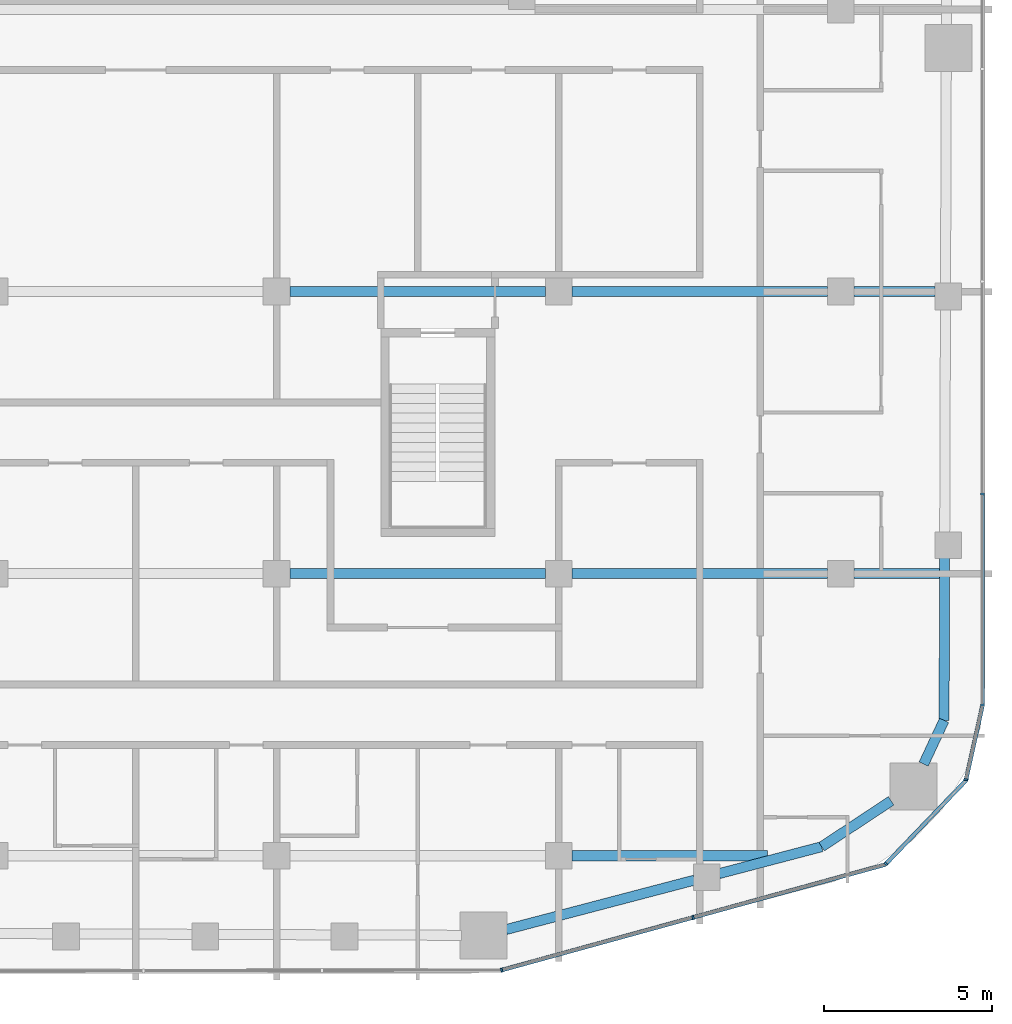
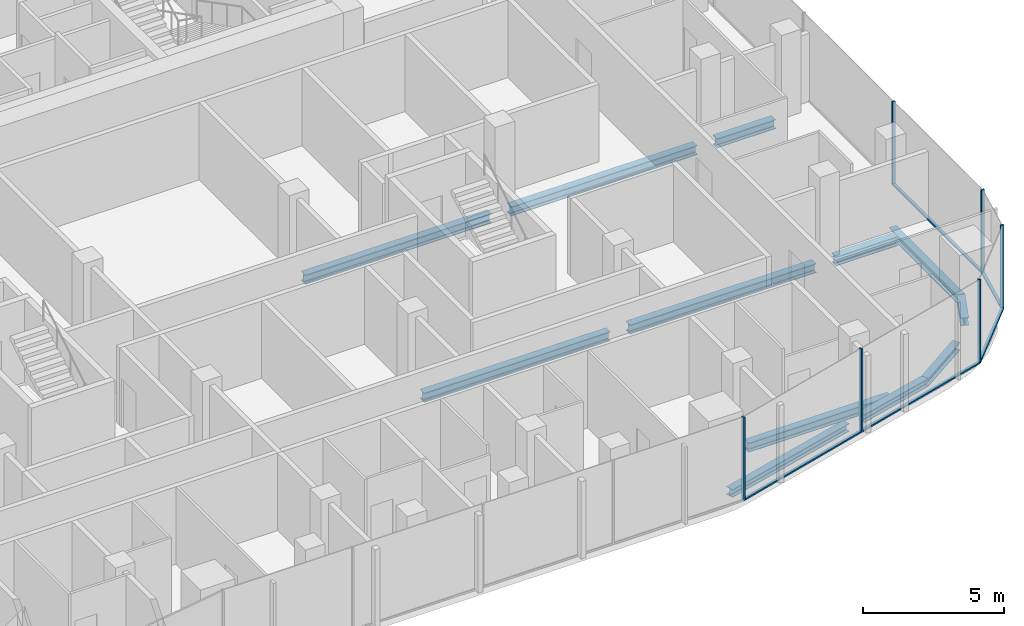
# One storey, part 6 of 22: 12 beams, 11 members, 4 elements without a shape of their own.
"""IFC4 building model written with IfcOpenShell, lengths in metres."""

from ifc_helpers import new_model, si_unit, direction, frame, origin, origin_2d, place, context, subcontext, project, spatial, rectangle, i_section, extrude, material, layer, layer_set, material_profile, profile_set, type_object, element, aggregate, save


model = new_model("IFC4")

# Units and contexts
model_context = context("Model", 3, precision=1e-05, world=origin(), true_north=direction((0.0, 1.0)))
body_context = subcontext(model_context, "Body", "Model", "MODEL_VIEW")
ifc_project = project(units=[si_unit("LENGTHUNIT", "METRE"), si_unit("AREAUNIT", "SQUARE_METRE"), si_unit("VOLUMEUNIT", "CUBIC_METRE"), si_unit("PLANEANGLEUNIT", "RADIAN"), si_unit("MASSUNIT", "GRAM", prefix="KILO")], contexts=[model_context])

# Site, building, storey
site_placement = place(None, origin())
site = spatial("IfcSite", under=ifc_project, at=site_placement, CompositionType="ELEMENT")
building_placement = place(site_placement, origin())
building = spatial("IfcBuilding", under=site, at=building_placement, Name="Marenta Gate Hotel Tower", CompositionType="ELEMENT")
storey_placement = place(building_placement, frame((0.0, 0.0, 238.10009765625)))
storey = spatial("IfcBuildingStorey", under=building, at=storey_placement, Name="L56", CompositionType="ELEMENT", Elevation=238.10009765625)

# Beams
ifc_material_1 = material(Name="Steel S355", Category="steel")
ifc_material_profile_1 = material_profile(ifc_material_1, i_section(OverallWidth=0.300048828125, OverallDepth=0.340087890625, WebThickness=0.011962890625, FlangeThickness=0.021484375, FilletRadius=0.027099609375, at=origin_2d()), Name="HEB 340")
ifc_profile_set_1 = profile_set([ifc_material_profile_1], Name="Steel S355")
beam_type_1 = type_object("IfcBeamType", Name="Edge beam HEB 340", PredefinedType="SPANDREL", material=ifc_profile_set_1)
beam_1_placement = place(storey_placement, frame((24.09130859375, -16.31201171875, -0.43017578125), z_axis=(-0.003318732666, -0.999994492992, 0.0), x_axis=(0.999994492992, -0.003318732666, 0.0)))
element("IfcBeam", 1, at=beam_1_placement, inside=storey, type_object=beam_type_1, Name="L56-EB-27", PredefinedType="SPANDREL", context=body_context, shape_type="SweptSolid", body=[
    extrude(i_section(OverallWidth=0.300048828125, OverallDepth=0.340087890625, WebThickness=0.011962890625, FlangeThickness=0.021484375, FilletRadius=0.027099609375, at=origin_2d()), origin(), (0.0, 0.0, 1.0), 4.855224609375),
])
beam_2_placement = place(storey_placement, frame((24.0751953125, -21.167236328125, -0.43017578125), z_axis=(-0.423341112024, -0.905970365338, 0.0), x_axis=(0.905970365338, -0.423341112024, 0.0)))
element("IfcBeam", 2, at=beam_2_placement, inside=storey, type_object=beam_type_1, Name="L56-EB-28", PredefinedType="SPANDREL", context=body_context, shape_type="SweptSolid", body=[
    extrude(i_section(OverallWidth=0.300048828125, OverallDepth=0.340087890625, WebThickness=0.011962890625, FlangeThickness=0.021484375, FilletRadius=0.027099609375, at=origin_2d()), origin(), (0.0, 0.0, 1.0), 1.437255859375),
])
beam_3_placement = place(storey_placement, frame((22.496337890625, -23.56640625, -0.43017578125), z_axis=(-0.834528740585, -0.550964410047, 0.0), x_axis=(0.550964410047, -0.834528740585, 0.0)))
element("IfcBeam", 3, at=beam_3_placement, inside=storey, type_object=beam_type_1, Name="L56-EB-29", PredefinedType="SPANDREL", context=body_context, shape_type="SweptSolid", body=[
    extrude(i_section(OverallWidth=0.300048828125, OverallDepth=0.340087890625, WebThickness=0.011962890625, FlangeThickness=0.021484375, FilletRadius=0.027099609375, at=origin_2d()), origin(), (0.0, 0.0, 1.0), 2.47705078125),
])
beam_4_placement = place(storey_placement, frame((20.42919921875, -24.93115234375, -0.43017578125), z_axis=(-0.967235227858, -0.253881889845, 0.0), x_axis=(0.253881889845, -0.967235227858, 0.0)))
element("IfcBeam", 4, at=beam_4_placement, inside=storey, type_object=beam_type_1, Name="L56-EB-30", PredefinedType="SPANDREL", context=body_context, shape_type="SweptSolid", body=[
    extrude(i_section(OverallWidth=0.300048828125, OverallDepth=0.340087890625, WebThickness=0.011962890625, FlangeThickness=0.021484375, FilletRadius=0.027099609375, at=origin_2d()), origin(), (0.0, 0.0, 1.0), 3.164794921875),
])
beam_5_placement = place(storey_placement, frame((16.6455078125, -25.92431640625, -0.43017578125), z_axis=(-0.96723496524, -0.253882890359, 0.0), x_axis=(0.253882890359, -0.96723496524, 0.0)))
element("IfcBeam", 5, at=beam_5_placement, inside=storey, type_object=beam_type_1, Name="L56-EB-31", PredefinedType="SPANDREL", context=body_context, shape_type="SweptSolid", body=[
    extrude(i_section(OverallWidth=0.300048828125, OverallDepth=0.340087890625, WebThickness=0.011962890625, FlangeThickness=0.021484375, FilletRadius=0.027099609375, at=origin_2d()), origin(), (0.0, 0.0, 1.0), 5.80810546875),
])
ifc_material_2 = material(Name="Steel S355", Category="steel")
ifc_material_profile_2 = material_profile(ifc_material_2, i_section(OverallWidth=0.300048828125, OverallDepth=0.39990234375, WebThickness=0.013427734375, FlangeThickness=0.02392578125, FilletRadius=0.027099609375, at=origin_2d()), Name="HEB 400")
ifc_profile_set_2 = profile_set([ifc_material_profile_2], Name="Steel S355")
beam_type_2 = type_object("IfcBeamType", Name="Girder HEB 400", PredefinedType="BEAM", material=ifc_profile_set_2)
beam_6_placement = place(storey_placement, frame((13.0, -25.199951171875, -0.460205078125), z_axis=(1.0, 0.0, 0.0), x_axis=(0.0, 1.0, 0.0)))
element("IfcBeam", 6, at=beam_6_placement, inside=storey, type_object=beam_type_2, Name="L56-GD-5", PredefinedType="BEAM", context=body_context, shape_type="SweptSolid", body=[
    extrude(i_section(OverallWidth=0.300048828125, OverallDepth=0.39990234375, WebThickness=0.013427734375, FlangeThickness=0.02392578125, FilletRadius=0.027099609375, at=origin_2d()), origin(), (0.0, 0.0, 1.0), 5.81396484375),
])
beam_7_placement = place(storey_placement, frame((4.60009765625, -16.800048828125, -0.460205078125), z_axis=(1.0, 0.0, 0.0), x_axis=(0.0, 1.0, 0.0)))
element("IfcBeam", 7, at=beam_7_placement, inside=storey, type_object=beam_type_2, Name="L56-GD-10", PredefinedType="BEAM", context=body_context, shape_type="SweptSolid", body=[
    extrude(i_section(OverallWidth=0.300048828125, OverallDepth=0.39990234375, WebThickness=0.013427734375, FlangeThickness=0.02392578125, FilletRadius=0.027099609375, at=origin_2d()), origin(), (0.0, 0.0, 1.0), 7.599853515625),
])
beam_8_placement = place(storey_placement, frame((13.0, -16.800048828125, -0.460205078125), z_axis=(1.0, 0.0, 0.0), x_axis=(0.0, 1.0, 0.0)))
element("IfcBeam", 8, at=beam_8_placement, inside=storey, type_object=beam_type_2, Name="L56-GD-11", PredefinedType="BEAM", context=body_context, shape_type="SweptSolid", body=[
    extrude(i_section(OverallWidth=0.300048828125, OverallDepth=0.39990234375, WebThickness=0.013427734375, FlangeThickness=0.02392578125, FilletRadius=0.027099609375, at=origin_2d()), origin(), (0.0, 0.0, 1.0), 7.60009765625),
])
beam_9_placement = place(storey_placement, frame((21.39990234375, -16.800048828125, -0.460205078125), z_axis=(1.0, 0.0, 0.0), x_axis=(0.0, 1.0, 0.0)))
element("IfcBeam", 9, at=beam_9_placement, inside=storey, type_object=beam_type_2, Name="L56-GD-12", PredefinedType="BEAM", context=body_context, shape_type="SweptSolid", body=[
    extrude(i_section(OverallWidth=0.300048828125, OverallDepth=0.39990234375, WebThickness=0.013427734375, FlangeThickness=0.02392578125, FilletRadius=0.027099609375, at=origin_2d()), origin(), (0.0, 0.0, 1.0), 2.539794921875),
])
beam_10_placement = place(storey_placement, frame((4.60009765625, -8.39990234375, -0.460205078125), z_axis=(1.0, 0.0, 0.0), x_axis=(0.0, 1.0, 0.0)))
element("IfcBeam", 10, at=beam_10_placement, inside=storey, type_object=beam_type_2, Name="L56-GD-17", PredefinedType="BEAM", context=body_context, shape_type="SweptSolid", body=[
    extrude(i_section(OverallWidth=0.300048828125, OverallDepth=0.39990234375, WebThickness=0.013427734375, FlangeThickness=0.02392578125, FilletRadius=0.027099609375, at=origin_2d()), origin(), (0.0, 0.0, 1.0), 7.599853515625),
])
beam_11_placement = place(storey_placement, frame((13.0, -8.39990234375, -0.460205078125), z_axis=(1.0, 0.0, 0.0), x_axis=(0.0, 1.0, 0.0)))
element("IfcBeam", 11, at=beam_11_placement, inside=storey, type_object=beam_type_2, Name="L56-GD-18", PredefinedType="BEAM", context=body_context, shape_type="SweptSolid", body=[
    extrude(i_section(OverallWidth=0.300048828125, OverallDepth=0.39990234375, WebThickness=0.013427734375, FlangeThickness=0.02392578125, FilletRadius=0.027099609375, at=origin_2d()), origin(), (0.0, 0.0, 1.0), 7.60009765625),
])
beam_12_placement = place(storey_placement, frame((21.39990234375, -8.39990234375, -0.460205078125), z_axis=(1.0, 0.0, 0.0), x_axis=(0.0, 1.0, 0.0)))
element("IfcBeam", 12, at=beam_12_placement, inside=storey, type_object=beam_type_2, Name="L56-GD-19", PredefinedType="BEAM", context=body_context, shape_type="SweptSolid", body=[
    extrude(i_section(OverallWidth=0.300048828125, OverallDepth=0.39990234375, WebThickness=0.013427734375, FlangeThickness=0.02392578125, FilletRadius=0.027099609375, at=origin_2d()), origin(), (0.0, 0.0, 1.0), 2.400146484375),
])

# Curtain wall, members
ifc_material_3 = material(Name="Tinted insulated glass in bronze anodised frame", Category="glass")
ifc_layer = layer(ifc_material_3, 0.1201171875)
ifc_layer_set = layer_set([ifc_layer], Name="Tinted insulated glass in bronze anodised frame")
curtain_wall_type = type_object("IfcCurtainWallType", Name="Tower unitised curtain wall CW1", PredefinedType="NOTDEFINED", material=ifc_layer_set)
curtain_wall_1_placement = place(storey_placement, origin())
curtain_wall_1 = element("IfcCurtainWall", 13, at=curtain_wall_1_placement, inside=storey, type_object=curtain_wall_type, Name="CW1 run G08", PredefinedType="NOTDEFINED")
ifc_material_4 = material(Name="Bronze anodised aluminium", Category="aluminium")
ifc_material_profile_3 = material_profile(ifc_material_4, rectangle(XDim=0.1201171875, YDim=0.06005859375, at=origin_2d()), Name="Mullion CW1 60x120 bronze anodised aluminium")
ifc_profile_set_3 = profile_set([ifc_material_profile_3], Name="Bronze anodised aluminium")
member_type_1 = type_object("IfcMemberType", Name="Mullion CW1 60x120 bronze anodised aluminium", PredefinedType="MULLION", material=ifc_profile_set_3)
member_1_placement = place(storey_placement, frame((10.902587890625, -28.6044921875, 0.0), z_axis=(0.0, 0.0, 1.0), x_axis=(-0.265293272675, 0.964167765212, 0.0)))
member_1 = element("IfcMember", 14, at=member_1_placement, type_object=member_type_1, Name="CW1 mullion 1", PredefinedType="MULLION", context=body_context, shape_type="SweptSolid", body=[
    extrude(rectangle(XDim=0.1201171875, YDim=0.06005859375, at=origin_2d()), origin(), (0.0, 0.0, 1.0), 3.599853515625),
])
member_2_placement = place(storey_placement, frame((16.599365234375, -27.037109375, 0.0), z_axis=(0.0, 0.0, 1.0), x_axis=(-0.265293272675, 0.964167765212, 0.0)))
member_2 = element("IfcMember", 15, at=member_2_placement, type_object=member_type_1, Name="CW1 mullion 2", PredefinedType="MULLION", context=body_context, shape_type="SweptSolid", body=[
    extrude(rectangle(XDim=0.1201171875, YDim=0.06005859375, at=origin_2d()), origin(), (0.0, 0.0, 1.0), 3.599853515625),
])

# Curtain wall, member
curtain_wall_2_placement = place(storey_placement, origin())
curtain_wall_2 = element("IfcCurtainWall", 16, at=curtain_wall_2_placement, inside=storey, type_object=curtain_wall_type, Name="CW1 run G09", PredefinedType="NOTDEFINED")
member_3_placement = place(storey_placement, frame((22.345458984375, -25.43994140625, 0.0), z_axis=(0.0, 0.0, 1.0), x_axis=(-0.72137172224, 0.692548076564, 0.0)))
member_3 = element("IfcMember", 17, at=member_3_placement, type_object=member_type_1, Name="CW1 mullion 1", PredefinedType="MULLION", context=body_context, shape_type="SweptSolid", body=[
    extrude(rectangle(XDim=0.1201171875, YDim=0.06005859375, at=origin_2d()), origin(), (0.0, 0.0, 1.0), 3.599853515625),
])

curtain_wall_3_placement = place(storey_placement, origin())
curtain_wall_3 = element("IfcCurtainWall", 18, at=curtain_wall_3_placement, inside=storey, type_object=curtain_wall_type, Name="CW1 run G10", PredefinedType="NOTDEFINED")
member_4_placement = place(storey_placement, frame((24.726806640625, -22.937255859375, 0.0), z_axis=(0.0, 0.0, 1.0), x_axis=(-0.97620669183, 0.216842096529, 0.0)))
member_4 = element("IfcMember", 19, at=member_4_placement, type_object=member_type_1, Name="CW1 mullion 1", PredefinedType="MULLION", context=body_context, shape_type="SweptSolid", body=[
    extrude(rectangle(XDim=0.1201171875, YDim=0.06005859375, at=origin_2d()), origin(), (0.0, 0.0, 1.0), 3.599853515625),
])

# Curtain wall, members
curtain_wall_4_placement = place(storey_placement, origin())
curtain_wall_4 = element("IfcCurtainWall", 20, at=curtain_wall_4_placement, inside=storey, type_object=curtain_wall_type, Name="CW1 run G11", PredefinedType="NOTDEFINED")
member_5_placement = place(storey_placement, frame((25.214111328125, -20.7138671875, 0.0), z_axis=(0.0, 0.0, 1.0), x_axis=(-1.0, 0.0, 0.0)))
member_5 = element("IfcMember", 21, at=member_5_placement, type_object=member_type_1, Name="CW1 mullion 1", PredefinedType="MULLION", context=body_context, shape_type="SweptSolid", body=[
    extrude(rectangle(XDim=0.1201171875, YDim=0.06005859375, at=origin_2d()), origin(), (0.0, 0.0, 1.0), 3.599853515625),
])
member_6_placement = place(storey_placement, frame((25.214111328125, -14.42138671875, 0.0), z_axis=(0.0, 0.0, 1.0), x_axis=(-1.0, 0.0, 0.0)))
member_6 = element("IfcMember", 22, at=member_6_placement, type_object=member_type_1, Name="CW1 mullion 2", PredefinedType="MULLION", context=body_context, shape_type="SweptSolid", body=[
    extrude(rectangle(XDim=0.1201171875, YDim=0.06005859375, at=origin_2d()), origin(), (0.0, 0.0, 1.0), 3.599853515625),
])

# Member
ifc_material_5 = material(Name="Bronze anodised aluminium", Category="aluminium")
ifc_material_profile_4 = material_profile(ifc_material_5, rectangle(XDim=0.1201171875, YDim=0.06005859375, at=origin_2d()), Name="Transom CW1 60x120 bronze anodised aluminium")
ifc_profile_set_4 = profile_set([ifc_material_profile_4], Name="Bronze anodised aluminium")
member_type_2 = type_object("IfcMemberType", Name="Transom CW1 60x120 bronze anodised aluminium", PredefinedType="USERDEFINED", material=ifc_profile_set_4)
member_7_placement = place(storey_placement, frame((10.931640625, -28.5966796875, 0.02978515625), z_axis=(0.964166959812, 0.265296199758, 0.0), x_axis=(-0.265296199758, 0.964166959812, 0.0)))
member_7 = element("IfcMember", 23, at=member_7_placement, type_object=member_type_2, Name="CW1 transom 1.1", ObjectType="TRANSOM", PredefinedType="USERDEFINED", context=body_context, shape_type="SweptSolid", body=[
    extrude(rectangle(XDim=0.1201171875, YDim=0.06005859375, at=origin_2d()), origin(), (0.0, 0.0, 1.0), 5.84814453125),
])

member_8_placement = place(storey_placement, frame((16.628173828125, -27.029052734375, 0.02978515625), z_axis=(0.964169199953, 0.265288058274, 0.0), x_axis=(-0.265288058274, 0.964169199953, 0.0)))
member_8 = element("IfcMember", 24, at=member_8_placement, type_object=member_type_2, Name="CW1 transom 2.1", ObjectType="TRANSOM", PredefinedType="USERDEFINED", context=body_context, shape_type="SweptSolid", body=[
    extrude(rectangle(XDim=0.1201171875, YDim=0.06005859375, at=origin_2d()), origin(), (0.0, 0.0, 1.0), 5.908203125),
])

aggregate(curtain_wall_1, [member_1, member_2, member_7, member_8])

member_9_placement = place(storey_placement, frame((22.366455078125, -25.41845703125, 0.02978515625), z_axis=(0.692521361505, 0.721397368903, 0.0), x_axis=(-0.721397368903, 0.692521361505, 0.0)))
member_9 = element("IfcMember", 25, at=member_9_placement, type_object=member_type_2, Name="CW1 transom 1.1", ObjectType="TRANSOM", PredefinedType="USERDEFINED", context=body_context, shape_type="SweptSolid", body=[
    extrude(rectangle(XDim=0.1201171875, YDim=0.06005859375, at=origin_2d()), origin(), (0.0, 0.0, 1.0), 3.39892578125),
])

aggregate(curtain_wall_2, [member_3, member_9])

member_10_placement = place(storey_placement, frame((24.7333984375, -22.907958984375, 0.02978515625), z_axis=(0.216848830219, 0.976205196069, 0.0), x_axis=(-0.976205196069, 0.216848830219, 0.0)))
member_10 = element("IfcMember", 26, at=member_10_placement, type_object=member_type_2, Name="CW1 transom 1.1", ObjectType="TRANSOM", PredefinedType="USERDEFINED", context=body_context, shape_type="SweptSolid", body=[
    extrude(rectangle(XDim=0.1201171875, YDim=0.06005859375, at=origin_2d()), origin(), (0.0, 0.0, 1.0), 2.216796875),
])

aggregate(curtain_wall_3, [member_4, member_10])

member_11_placement = place(storey_placement, frame((25.214111328125, -20.683837890625, 0.02978515625), z_axis=(0.0, 1.0, 0.0), x_axis=(-1.0, 0.0, 0.0)))
member_11 = element("IfcMember", 27, at=member_11_placement, type_object=member_type_2, Name="CW1 transom 1.1", ObjectType="TRANSOM", PredefinedType="USERDEFINED", context=body_context, shape_type="SweptSolid", body=[
    extrude(rectangle(XDim=0.1201171875, YDim=0.06005859375, at=origin_2d()), origin(), (0.0, 0.0, 1.0), 6.232666015625),
])

aggregate(curtain_wall_4, [member_5, member_6, member_11])

save(model, "model.ifc")
